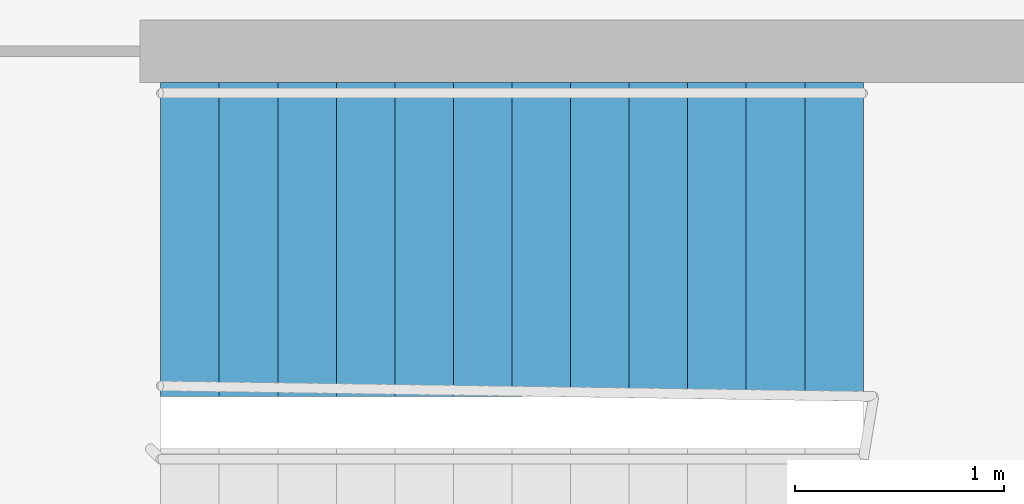
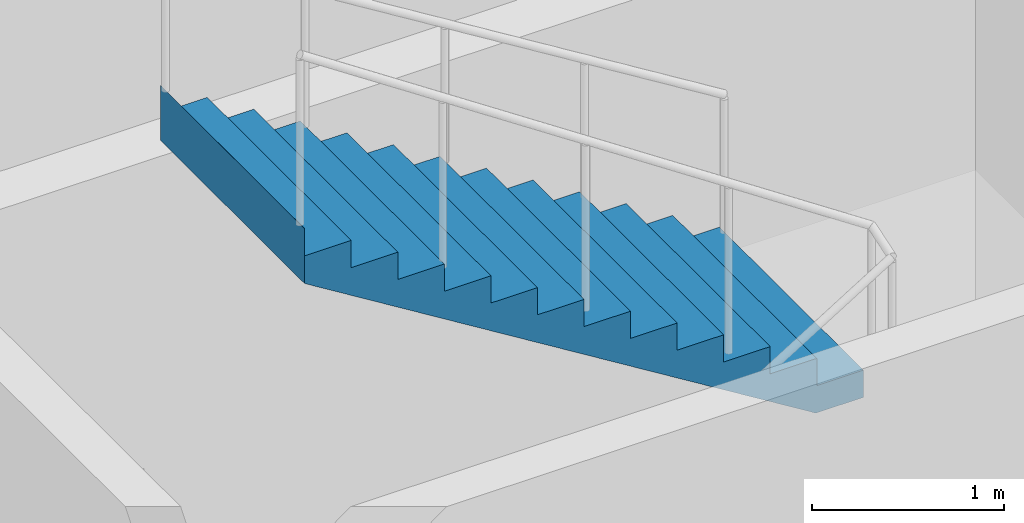
# One storey, part 17 of 19: 1 stair flight, 1 element without a shape of its own.
"""IFC4 building model written with IfcOpenShell, lengths in metres."""

from ifc_helpers import new_model, si_unit, direction, frame, origin, place, context, subcontext, project, spatial, faceted_brep, material, type_object, element, aggregate, save


model = new_model("IFC4")

# Units and contexts
model_context = context("Model", 3, precision=1e-05, world=origin(), true_north=direction((0.0, 1.0)))
body_context = subcontext(model_context, "Body", "Model", "MODEL_VIEW")
ifc_project = project(units=[si_unit("LENGTHUNIT", "METRE"), si_unit("AREAUNIT", "SQUARE_METRE"), si_unit("VOLUMEUNIT", "CUBIC_METRE"), si_unit("PLANEANGLEUNIT", "RADIAN"), si_unit("MASSUNIT", "GRAM", prefix="KILO")], contexts=[model_context])

# Site, building, storey
site_placement = place(None, origin())
site = spatial("IfcSite", under=ifc_project, at=site_placement, CompositionType="ELEMENT")
building_placement = place(site_placement, origin())
building = spatial("IfcBuilding", under=site, at=building_placement, Name="Kajstack Hotel Tower", CompositionType="ELEMENT")
storey_placement = place(building_placement, frame((0.0, 0.0, 33.5)))
storey = spatial("IfcBuildingStorey", under=building, at=storey_placement, Name="L05", CompositionType="ELEMENT", Elevation=33.5)

# Stair, stair flight
ifc_material = material(Name="Concrete C40/50", Category="concrete")
stair_type = type_object("IfcStairType", Name="Exit stair 1500", PredefinedType="HALF_TURN_STAIR", material=ifc_material)
stair_placement = place(storey_placement, origin())
stair = element("IfcStair", 1, at=stair_placement, inside=storey, type_object=stair_type, Name="L05 stair E3", PredefinedType="HALF_TURN_STAIR")
stair_flight_type = type_object("IfcStairFlightType", Name="Exit stair flight 1500", PredefinedType="STRAIGHT", material=ifc_material)
stair_flight_placement = place(storey_placement, frame((29.06005859375, 14.449951171875, 2.25), z_axis=(0.0, 0.0, 1.0), x_axis=(-1.0, 0.0, 0.0)))
stair_flight = element("IfcStairFlight", 2, at=stair_flight_placement, type_object=stair_flight_type, Name="E3 flight 2", NumberOfRisers=13, NumberOfTreads=12, PredefinedType="STRAIGHT", RiserHeight=0.173076923, TreadLength=0.28, context=body_context, shape_type="Brep", body=[
    faceted_brep([(0.28564453125, -0.75, 0.0), (3.360595703125, -0.75, 1.900634765625), (3.360595703125, -0.75, 2.25), (3.360107421875, -0.75, 2.25), (3.360107421875, -0.75, 2.076904296875), (3.080078125, -0.75, 2.076904296875), (3.080078125, -0.75, 1.90380859375), (2.800048828125, -0.75, 1.90380859375), (2.800048828125, -0.75, 1.730712890625), (2.52001953125, -0.75, 1.730712890625), (2.52001953125, -0.75, 1.5576171875), (2.239990234375, -0.75, 1.5576171875), (2.239990234375, -0.75, 1.384521484375), (1.9599609375, -0.75, 1.384521484375), (1.9599609375, -0.75, 1.21142578125), (1.679931640625, -0.75, 1.21142578125), (1.679931640625, -0.75, 1.03857421875), (1.39990234375, -0.75, 1.03857421875), (1.39990234375, -0.75, 0.865478515625), (1.1201171875, -0.75, 0.865478515625), (1.1201171875, -0.75, 0.6923828125), (0.840087890625, -0.75, 0.6923828125), (0.840087890625, -0.75, 0.519287109375), (0.56005859375, -0.75, 0.519287109375), (0.56005859375, -0.75, 0.34619140625), (0.280029296875, -0.75, 0.34619140625), (0.280029296875, -0.75, 0.173095703125), (-0.00048828125, -0.75, 0.173095703125), (-0.00048828125, -0.75, 0.0), (-0.00048828125, 0.75, 0.0), (-0.00048828125, 0.75, 0.173095703125), (0.280029296875, 0.75, 0.173095703125), (0.280029296875, 0.75, 0.34619140625), (0.56005859375, 0.75, 0.34619140625), (0.56005859375, 0.75, 0.519287109375), (0.840087890625, 0.75, 0.519287109375), (0.840087890625, 0.75, 0.6923828125), (1.1201171875, 0.75, 0.6923828125), (1.1201171875, 0.75, 0.865478515625), (1.39990234375, 0.75, 0.865478515625), (1.39990234375, 0.75, 1.03857421875), (1.679931640625, 0.75, 1.03857421875), (1.679931640625, 0.75, 1.21142578125), (1.9599609375, 0.75, 1.21142578125), (1.9599609375, 0.75, 1.384521484375), (2.239990234375, 0.75, 1.384521484375), (2.239990234375, 0.75, 1.5576171875), (2.52001953125, 0.75, 1.5576171875), (2.52001953125, 0.75, 1.730712890625), (2.800048828125, 0.75, 1.730712890625), (2.800048828125, 0.75, 1.90380859375), (3.080078125, 0.75, 1.90380859375), (3.080078125, 0.75, 2.076904296875), (3.360107421875, 0.75, 2.076904296875), (3.360107421875, 0.75, 2.25), (3.360595703125, 0.75, 2.25), (3.360595703125, 0.75, 1.900634765625), (0.28564453125, 0.75, 0.0), (-0.00048828125, -0.375, 0.173095703125), (-0.00048828125, 0.0, 0.173095703125), (-0.00048828125, 0.375, 0.173095703125), (-0.00048828125, 0.375, 0.0), (-0.00048828125, 0.0, 0.0), (-0.00048828125, -0.375, 0.0), (0.280029296875, -0.375, 0.173095703125), (0.280029296875, 0.0, 0.173095703125), (0.280029296875, 0.375, 0.173095703125), (0.280029296875, -0.375, 0.34619140625), (0.280029296875, 0.0, 0.34619140625), (0.280029296875, 0.375, 0.34619140625), (0.56005859375, -0.375, 0.34619140625), (0.56005859375, 0.0, 0.34619140625), (0.56005859375, 0.375, 0.34619140625), (0.56005859375, -0.375, 0.519287109375), (0.56005859375, 0.0, 0.519287109375), (0.56005859375, 0.375, 0.519287109375), (0.840087890625, -0.375, 0.519287109375), (0.840087890625, 0.0, 0.519287109375), (0.840087890625, 0.375, 0.519287109375), (0.840087890625, -0.375, 0.6923828125), (0.840087890625, 0.0, 0.6923828125), (0.840087890625, 0.375, 0.6923828125), (1.1201171875, -0.375, 0.6923828125), (1.1201171875, 0.0, 0.6923828125), (1.1201171875, 0.375, 0.6923828125), (1.1201171875, -0.375, 0.865478515625), (1.1201171875, 0.0, 0.865478515625), (1.1201171875, 0.375, 0.865478515625), (1.39990234375, -0.375, 0.865478515625), (1.39990234375, 0.0, 0.865478515625), (1.39990234375, 0.375, 0.865478515625), (1.39990234375, -0.375, 1.03857421875), (1.39990234375, 0.0, 1.03857421875), (1.39990234375, 0.375, 1.03857421875), (1.679931640625, -0.375, 1.03857421875), (1.679931640625, 0.0, 1.03857421875), (1.679931640625, 0.375, 1.03857421875), (1.679931640625, -0.375, 1.21142578125), (1.679931640625, 0.0, 1.21142578125), (1.679931640625, 0.375, 1.21142578125), (1.9599609375, -0.375, 1.21142578125), (1.9599609375, 0.0, 1.21142578125), (1.9599609375, 0.375, 1.21142578125), (1.9599609375, -0.375, 1.384521484375), (1.9599609375, 0.0, 1.384521484375), (1.9599609375, 0.375, 1.384521484375), (2.239990234375, -0.375, 1.384521484375), (2.239990234375, 0.0, 1.384521484375), (2.239990234375, 0.375, 1.384521484375), (2.239990234375, -0.375, 1.5576171875), (2.239990234375, 0.0, 1.5576171875), (2.239990234375, 0.375, 1.5576171875), (2.52001953125, -0.375, 1.5576171875), (2.52001953125, 0.0, 1.5576171875), (2.52001953125, 0.375, 1.5576171875), (2.52001953125, -0.375, 1.730712890625), (2.52001953125, 0.0, 1.730712890625), (2.52001953125, 0.375, 1.730712890625), (2.800048828125, -0.375, 1.730712890625), (2.800048828125, 0.0, 1.730712890625), (2.800048828125, 0.375, 1.730712890625), (2.800048828125, -0.375, 1.90380859375), (2.800048828125, 0.0, 1.90380859375), (2.800048828125, 0.375, 1.90380859375), (3.080078125, -0.375, 1.90380859375), (3.080078125, 0.0, 1.90380859375), (3.080078125, 0.375, 1.90380859375), (3.080078125, -0.375, 2.076904296875), (3.080078125, 0.0, 2.076904296875), (3.080078125, 0.375, 2.076904296875), (3.360107421875, -0.375, 2.076904296875), (3.360107421875, 0.0, 2.076904296875), (3.360107421875, 0.375, 2.076904296875), (3.360107421875, -0.375, 2.25), (3.360107421875, 0.0, 2.25), (3.360107421875, 0.375, 2.25), (3.360595703125, -0.375, 2.25), (3.360595703125, 0.0, 2.25), (3.360595703125, 0.375, 2.25), (3.360595703125, -0.375, 1.900634765625), (3.360595703125, 0.0, 1.900634765625), (3.360595703125, 0.375, 1.900634765625), (0.28564453125, -0.375, 0.0), (0.28564453125, 0.0, 0.0), (0.28564453125, 0.375, 0.0)], [[[0, 1, 2, 3, 4, 5, 6, 7, 8, 9, 10, 11, 12, 13, 14, 15, 16, 17, 18, 19, 20, 21, 22, 23, 24, 25, 26, 27, 28]], [[29, 30, 31, 32, 33, 34, 35, 36, 37, 38, 39, 40, 41, 42, 43, 44, 45, 46, 47, 48, 49, 50, 51, 52, 53, 54, 55, 56, 57]], [[27, 58, 59, 60, 30, 29, 61, 62, 63, 28]], [[26, 64, 65, 66, 31, 30, 60, 59, 58, 27]], [[25, 67, 68, 69, 32, 31, 66, 65, 64, 26]], [[24, 70, 71, 72, 33, 32, 69, 68, 67, 25]], [[23, 73, 74, 75, 34, 33, 72, 71, 70, 24]], [[22, 76, 77, 78, 35, 34, 75, 74, 73, 23]], [[21, 79, 80, 81, 36, 35, 78, 77, 76, 22]], [[20, 82, 83, 84, 37, 36, 81, 80, 79, 21]], [[19, 85, 86, 87, 38, 37, 84, 83, 82, 20]], [[18, 88, 89, 90, 39, 38, 87, 86, 85, 19]], [[17, 91, 92, 93, 40, 39, 90, 89, 88, 18]], [[16, 94, 95, 96, 41, 40, 93, 92, 91, 17]], [[15, 97, 98, 99, 42, 41, 96, 95, 94, 16]], [[14, 100, 101, 102, 43, 42, 99, 98, 97, 15]], [[13, 103, 104, 105, 44, 43, 102, 101, 100, 14]], [[12, 106, 107, 108, 45, 44, 105, 104, 103, 13]], [[11, 109, 110, 111, 46, 45, 108, 107, 106, 12]], [[10, 112, 113, 114, 47, 46, 111, 110, 109, 11]], [[9, 115, 116, 117, 48, 47, 114, 113, 112, 10]], [[8, 118, 119, 120, 49, 48, 117, 116, 115, 9]], [[7, 121, 122, 123, 50, 49, 120, 119, 118, 8]], [[6, 124, 125, 126, 51, 50, 123, 122, 121, 7]], [[5, 127, 128, 129, 52, 51, 126, 125, 124, 6]], [[4, 130, 131, 132, 53, 52, 129, 128, 127, 5]], [[3, 133, 134, 135, 54, 53, 132, 131, 130, 4]], [[2, 136, 137, 138, 55, 54, 135, 134, 133, 3]], [[1, 139, 140, 141, 56, 55, 138, 137, 136, 2]], [[0, 142, 143, 144, 57, 56, 141, 140, 139, 1]], [[28, 63, 62, 61, 29, 57, 144, 143, 142, 0]]]),
])
aggregate(stair, [stair_flight])

save(model, "model.ifc")
